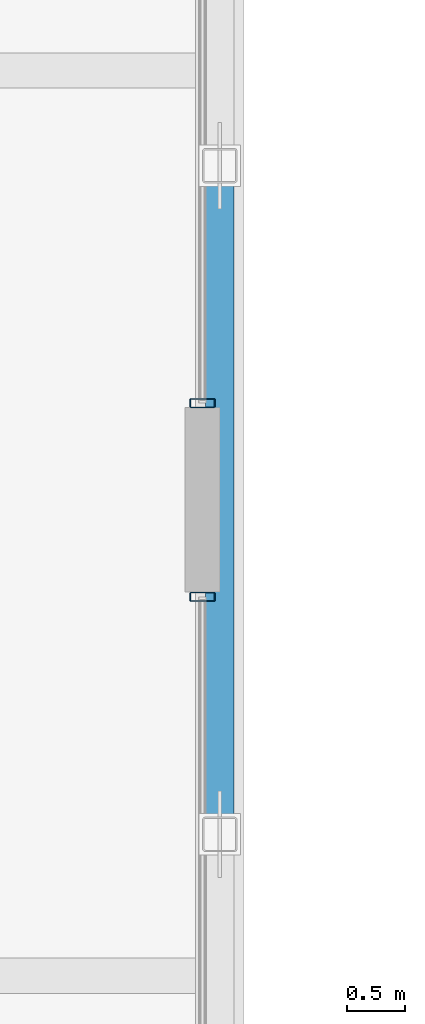
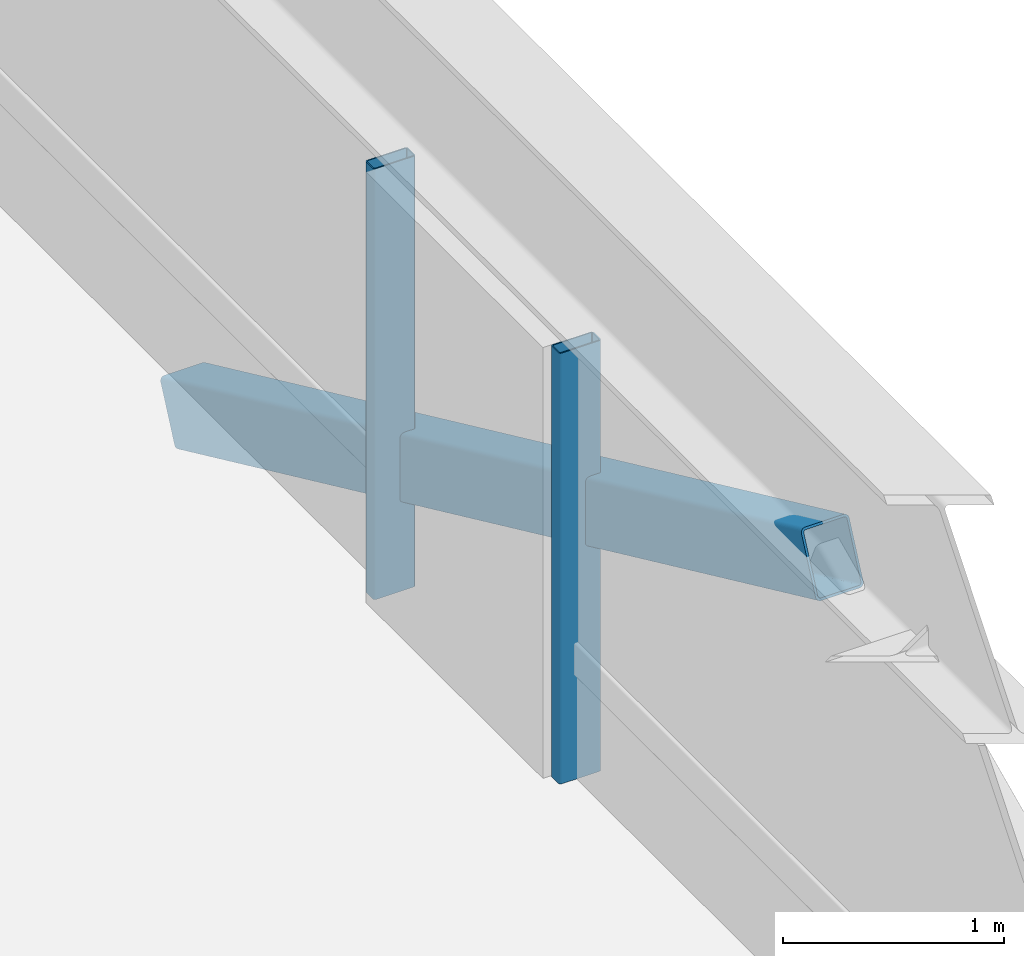
# One storey, part 10 of 35: 3 members, 2 elements without a shape of their own.
"""IFC4 building model written with IfcOpenShell, lengths in metres."""

from ifc_helpers import new_model, si_unit, direction, frame, origin, origin_2d, place, context, subcontext, project, spatial, hollow_rectangle, extrude, material, layer, layer_set, material_profile, profile_set, type_object, element, aggregate, save


model = new_model("IFC4")

# Units and contexts
model_context = context("Model", 3, precision=1e-05, world=origin(), true_north=direction((0.0, 1.0)))
body_context = subcontext(model_context, "Body", "Model", "MODEL_VIEW")
ifc_project = project(units=[si_unit("LENGTHUNIT", "METRE"), si_unit("AREAUNIT", "SQUARE_METRE"), si_unit("VOLUMEUNIT", "CUBIC_METRE"), si_unit("PLANEANGLEUNIT", "RADIAN"), si_unit("MASSUNIT", "GRAM", prefix="KILO")], contexts=[model_context])

# Site, building, storey
site_placement = place(None, origin())
site = spatial("IfcSite", under=ifc_project, at=site_placement, CompositionType="ELEMENT")
building_placement = place(site_placement, origin())
building = spatial("IfcBuilding", under=site, at=building_placement, Name="Korimba Cascade Residences", CompositionType="ELEMENT")
storey_placement = place(building_placement, frame((0.0, 0.0, 150.10009765625)))
storey = spatial("IfcBuildingStorey", under=building, at=storey_placement, Name="L43", CompositionType="ELEMENT", Elevation=150.10009765625)

# Curtain wall, member
ifc_material_1 = material(Name="Anodised Aluminium Curtain Wall Framing", Category="aluminium")
ifc_layer = layer(ifc_material_1, 0.179931640625)
ifc_layer_set = layer_set([ifc_layer], Name="Anodised Aluminium Curtain Wall Framing")
curtain_wall_type = type_object("IfcCurtainWallType", Name="CW-OBS-SYS4", PredefinedType="NOTDEFINED", material=ifc_layer_set)
curtain_wall_1_placement = place(storey_placement, origin())
curtain_wall_1 = element("IfcCurtainWall", 1, at=curtain_wall_1_placement, inside=storey, type_object=curtain_wall_type, Name="L43 Curtain Wall CW-L43-BRG-E1", PredefinedType="NOTDEFINED")
ifc_material_2 = material(Name="Anodised Aluminium Mullion", Category="aluminium")
ifc_material_profile_1 = material_profile(ifc_material_2, hollow_rectangle(XDim=0.080078125, YDim=0.219970703125, WallThickness=0.00634765625, InnerFilletRadius=0.00634765625, OuterFilletRadius=0.0126953125, at=origin_2d()), Name="Anodised Aluminium Mullion")
ifc_profile_set_1 = profile_set([ifc_material_profile_1], Name="Anodised Aluminium Mullion")
member_type_1 = type_object("IfcMemberType", Name="CWM-MUL-220", PredefinedType="MULLION", material=ifc_profile_set_1)
member_1_placement = place(storey_placement, frame((111.949951171875, 40.9599609375, 0.0), z_axis=(0.0, 0.0, 1.0), x_axis=(0.0, 1.0, 0.0)))
member_1 = element("IfcMember", 2, at=member_1_placement, type_object=member_type_1, Name="CW-L43-BRG-E1 Mullion 2", PredefinedType="MULLION", context=body_context, shape_type="SweptSolid", body=[
    extrude(hollow_rectangle(XDim=0.080078125, YDim=0.219970703125, WallThickness=0.00634765625, InnerFilletRadius=0.00634765625, OuterFilletRadius=0.0126953125, at=origin_2d()), origin(), (0.0, 0.0, 1.0), 2.3798828125),
])
aggregate(curtain_wall_1, [member_1])

curtain_wall_2_placement = place(storey_placement, origin())
curtain_wall_2 = element("IfcCurtainWall", 3, at=curtain_wall_2_placement, inside=storey, type_object=curtain_wall_type, Name="L43 Curtain Wall CW-L43-BRG-E2", PredefinedType="NOTDEFINED")
member_2_placement = place(storey_placement, frame((111.949951171875, 42.639892578125, 0.0), z_axis=(0.0, 0.0, 1.0), x_axis=(0.0, 1.0, 0.0)))
member_2 = element("IfcMember", 4, at=member_2_placement, type_object=member_type_1, Name="CW-L43-BRG-E2 Mullion 1", PredefinedType="MULLION", context=body_context, shape_type="SweptSolid", body=[
    extrude(hollow_rectangle(XDim=0.080078125, YDim=0.219970703125, WallThickness=0.00634765625, InnerFilletRadius=0.00634765625, OuterFilletRadius=0.0126953125, at=origin_2d()), origin(), (0.0, 0.0, 1.0), 2.3798828125),
])
aggregate(curtain_wall_2, [member_2])

# Member
ifc_material_3 = material(Name="Steel S460", Category="steel")
ifc_material_profile_2 = material_profile(ifc_material_3, hollow_rectangle(XDim=0.25, YDim=0.35009765625, WallThickness=0.012451171875, InnerFilletRadius=0.012451171875, OuterFilletRadius=0.02490234375, at=origin_2d()), Name="Steel S460")
ifc_profile_set_2 = profile_set([ifc_material_profile_2], Name="Steel S460")
member_type_2 = type_object("IfcMemberType", Name="MEM-BRG-SHS350", PredefinedType="BRACE", material=ifc_profile_set_2)
member_3_placement = place(storey_placement, frame((112.10009765625, 38.89990234375, 2.388916015625), z_axis=(0.0, 0.907839673774, -0.419317453396), x_axis=(-1.0, 0.0, 0.0)))
element("IfcMember", 5, at=member_3_placement, inside=storey, type_object=member_type_2, Name="L43 Mid-Bridge Warren Diagonal E2", PredefinedType="BRACE", context=body_context, shape_type="SweptSolid", body=[
    extrude(hollow_rectangle(XDim=0.25, YDim=0.35009765625, WallThickness=0.012451171875, InnerFilletRadius=0.012451171875, OuterFilletRadius=0.02490234375, at=origin_2d()), origin(), (0.0, 0.0, 1.0), 6.388916015625),
])

save(model, "model.ifc")
